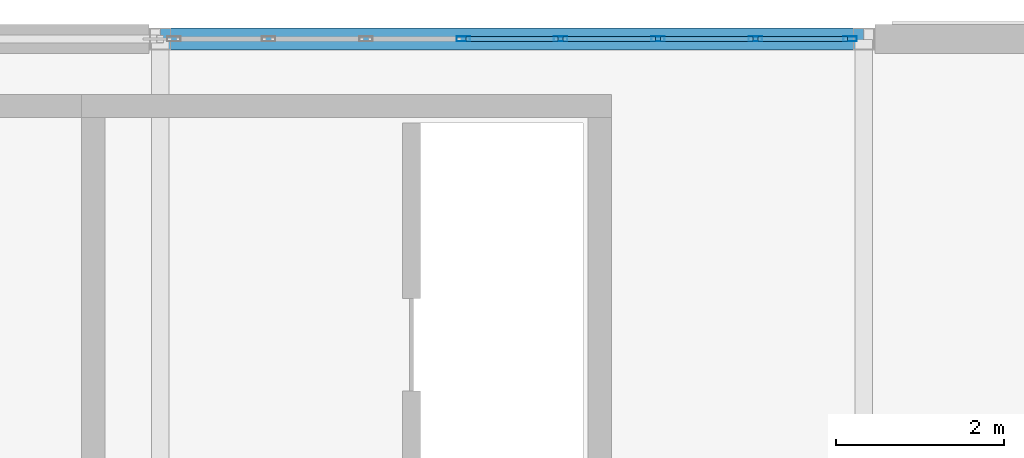
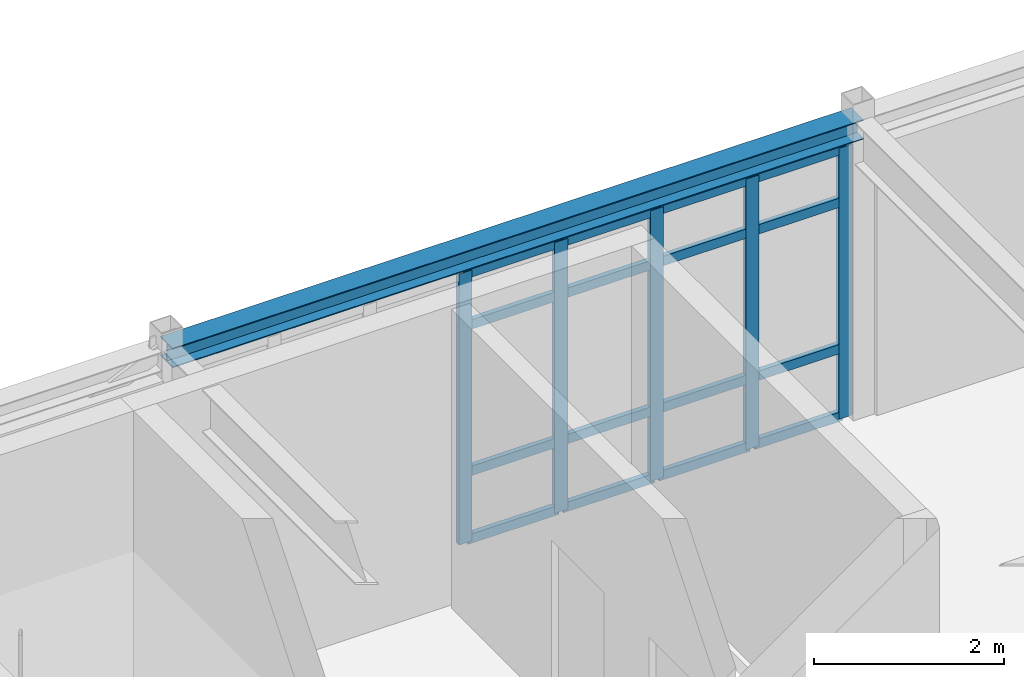
# One storey, part 102 of 189: 21 members, 1 beam, 1 element without a shape of its own.
"""IFC4 building model written with IfcOpenShell, lengths in metres."""

from ifc_helpers import new_model, si_unit, direction, frame, origin, origin_2d, place, context, subcontext, project, spatial, hollow_rectangle, i_section, extrude, material, layer, layer_set, material_profile, profile_set, type_object, element, aggregate, save


model = new_model("IFC4")

# Units and contexts
model_context = context("Model", 3, precision=1e-05, world=origin(), true_north=direction((0.0, 1.0)))
body_context = subcontext(model_context, "Body", "Model", "MODEL_VIEW")
ifc_project = project(units=[si_unit("LENGTHUNIT", "METRE"), si_unit("AREAUNIT", "SQUARE_METRE"), si_unit("VOLUMEUNIT", "CUBIC_METRE"), si_unit("PLANEANGLEUNIT", "RADIAN"), si_unit("MASSUNIT", "GRAM", prefix="KILO")], contexts=[model_context])

# Site, building, storey
site_placement = place(None, origin())
site = spatial("IfcSite", under=ifc_project, at=site_placement, CompositionType="ELEMENT")
building_placement = place(site_placement, origin())
building = spatial("IfcBuilding", under=site, at=building_placement, Name="Montecoro Central Library", CompositionType="ELEMENT")
storey_placement = place(building_placement, frame((0.0, 0.0, 9.179931640625)))
storey = spatial("IfcBuildingStorey", under=building, at=storey_placement, Name="L02", CompositionType="ELEMENT", Elevation=9.179931640625)

# Beam
ifc_material_1 = material(Name="Steel S355", Category="steel")
ifc_material_profile_1 = material_profile(ifc_material_1, i_section(OverallWidth=0.260009765625, OverallDepth=0.25, WebThickness=0.007568359375, FlangeThickness=0.012451171875, at=origin_2d()), Name="HEA 260")
ifc_profile_set_1 = profile_set([ifc_material_profile_1], Name="Steel S355")
beam_type = type_object("IfcBeamType", Name="BM-SP-HEA260", PredefinedType="SPANDREL", material=ifc_profile_set_1)
beam_placement = place(storey_placement, frame((83.205078125, 119.0, 3.699951171875), z_axis=(1.0, 0.0, 0.0), x_axis=(0.0, 1.0, 0.0)))
element("IfcBeam", 1, at=beam_placement, inside=storey, type_object=beam_type, Name="V2-L02-BX-1112-R", PredefinedType="SPANDREL", context=body_context, shape_type="SweptSolid", body=[
    extrude(i_section(OverallWidth=0.260009765625, OverallDepth=0.25, WebThickness=0.007568359375, FlangeThickness=0.012451171875, at=origin_2d()), origin(), (0.0, 0.0, 1.0), 8.389892578125),
])

# Curtain wall, members
ifc_material_2 = material(Name="Bronze-anodised aluminium and low-E glazing", Category="aluminium")
ifc_layer = layer(ifc_material_2, 0.159912109375)
ifc_layer_set = layer_set([ifc_layer], Name="Bronze-anodised aluminium and low-E glazing")
curtain_wall_type = type_object("IfcCurtainWallType", Name="CWT-016", PredefinedType="NOTDEFINED", material=ifc_layer_set)
curtain_wall_placement = place(storey_placement, origin())
curtain_wall = element("IfcCurtainWall", 2, at=curtain_wall_placement, inside=storey, type_object=curtain_wall_type, Name="V2-L02-CW-N2", PredefinedType="NOTDEFINED")
ifc_material_3 = material(Name="Bronze-anodised aluminium", Category="aluminium")
ifc_material_profile_2 = material_profile(ifc_material_3, hollow_rectangle(XDim=0.06005859375, YDim=0.159912109375, WallThickness=0.00390625, at=origin_2d()), Name="CWM 160x60x4.0")
ifc_profile_set_2 = profile_set([ifc_material_profile_2], Name="Bronze-anodised aluminium")
member_type_1 = type_object("IfcMemberType", Name="CWM-BRZ-60", PredefinedType="MULLION", material=ifc_profile_set_2)
member_1_placement = place(storey_placement, frame((91.43701171875, 119.0, 0.0), z_axis=(0.0, 0.0, 1.0), x_axis=(0.0, -1.0, 0.0)))
member_1 = element("IfcMember", 3, at=member_1_placement, type_object=member_type_1, Name="CW-016 mullion 1", PredefinedType="MULLION", context=body_context, shape_type="SweptSolid", body=[
    extrude(hollow_rectangle(XDim=0.06005859375, YDim=0.159912109375, WallThickness=0.00390625, at=origin_2d()), origin(), (0.0, 0.0, 1.0), 3.47998046875),
])
member_2_placement = place(storey_placement, frame((90.304931640625, 119.0, 0.0), z_axis=(0.0, 0.0, 1.0), x_axis=(0.0, -1.0, 0.0)))
member_2 = element("IfcMember", 4, at=member_2_placement, type_object=member_type_1, Name="CW-016 mullion 2", PredefinedType="MULLION", context=body_context, shape_type="SweptSolid", body=[
    extrude(hollow_rectangle(XDim=0.06005859375, YDim=0.159912109375, WallThickness=0.00390625, at=origin_2d()), origin(), (0.0, 0.0, 1.0), 3.47998046875),
])
member_3_placement = place(storey_placement, frame((89.14306640625, 119.0, 0.0), z_axis=(0.0, 0.0, 1.0), x_axis=(0.0, -1.0, 0.0)))
member_3 = element("IfcMember", 5, at=member_3_placement, type_object=member_type_1, Name="CW-016 mullion 3", PredefinedType="MULLION", context=body_context, shape_type="SweptSolid", body=[
    extrude(hollow_rectangle(XDim=0.06005859375, YDim=0.159912109375, WallThickness=0.00390625, at=origin_2d()), origin(), (0.0, 0.0, 1.0), 3.47998046875),
])
member_4_placement = place(storey_placement, frame((87.98095703125, 119.0, 0.0), z_axis=(0.0, 0.0, 1.0), x_axis=(0.0, -1.0, 0.0)))
member_4 = element("IfcMember", 6, at=member_4_placement, type_object=member_type_1, Name="CW-016 mullion 4", PredefinedType="MULLION", context=body_context, shape_type="SweptSolid", body=[
    extrude(hollow_rectangle(XDim=0.06005859375, YDim=0.159912109375, WallThickness=0.00390625, at=origin_2d()), origin(), (0.0, 0.0, 1.0), 3.47998046875),
])
member_5_placement = place(storey_placement, frame((86.819091796875, 119.0, 0.0), z_axis=(0.0, 0.0, 1.0), x_axis=(0.0, -1.0, 0.0)))
member_5 = element("IfcMember", 7, at=member_5_placement, type_object=member_type_1, Name="CW-016 mullion 5", PredefinedType="MULLION", context=body_context, shape_type="SweptSolid", body=[
    extrude(hollow_rectangle(XDim=0.06005859375, YDim=0.159912109375, WallThickness=0.00390625, at=origin_2d()), origin(), (0.0, 0.0, 1.0), 3.47998046875),
])
ifc_material_profile_3 = material_profile(ifc_material_3, hollow_rectangle(XDim=0.06005859375, YDim=0.1201171875, WallThickness=0.00390625, at=origin_2d()), Name="CWT 120x60x4.0")
ifc_profile_set_3 = profile_set([ifc_material_profile_3], Name="Bronze-anodised aluminium")
member_type_2 = type_object("IfcMemberType", Name="CWT-BRZ-60", PredefinedType="USERDEFINED", material=ifc_profile_set_3)
member_6_placement = place(storey_placement, frame((91.406982421875, 119.0, 0.030029296875), z_axis=(-1.0, 0.0, 0.0), x_axis=(0.0, -1.0, 0.0)))
member_6 = element("IfcMember", 8, at=member_6_placement, type_object=member_type_2, Name="CW-016 transom 1.1", ObjectType="TRANSOM", PredefinedType="USERDEFINED", context=body_context, shape_type="SweptSolid", body=[
    extrude(hollow_rectangle(XDim=0.06005859375, YDim=0.1201171875, WallThickness=0.00390625, at=origin_2d()), origin(), (0.0, 0.0, 1.0), 1.072021484375),
])
member_7_placement = place(storey_placement, frame((91.406982421875, 119.0, 0.900146484375), z_axis=(-1.0, 0.0, 0.0), x_axis=(0.0, -1.0, 0.0)))
member_7 = element("IfcMember", 9, at=member_7_placement, type_object=member_type_2, Name="CW-016 transom 1.2", ObjectType="TRANSOM", PredefinedType="USERDEFINED", context=body_context, shape_type="SweptSolid", body=[
    extrude(hollow_rectangle(XDim=0.06005859375, YDim=0.1201171875, WallThickness=0.00390625, at=origin_2d()), origin(), (0.0, 0.0, 1.0), 1.072021484375),
])
member_8_placement = place(storey_placement, frame((91.406982421875, 119.0, 2.780029296875), z_axis=(-1.0, 0.0, 0.0), x_axis=(0.0, -1.0, 0.0)))
member_8 = element("IfcMember", 10, at=member_8_placement, type_object=member_type_2, Name="CW-016 transom 1.3", ObjectType="TRANSOM", PredefinedType="USERDEFINED", context=body_context, shape_type="SweptSolid", body=[
    extrude(hollow_rectangle(XDim=0.06005859375, YDim=0.1201171875, WallThickness=0.00390625, at=origin_2d()), origin(), (0.0, 0.0, 1.0), 1.072021484375),
])
member_9_placement = place(storey_placement, frame((91.406982421875, 119.0, 3.449951171875), z_axis=(-1.0, 0.0, 0.0), x_axis=(0.0, -1.0, 0.0)))
member_9 = element("IfcMember", 11, at=member_9_placement, type_object=member_type_2, Name="CW-016 transom 1.4", ObjectType="TRANSOM", PredefinedType="USERDEFINED", context=body_context, shape_type="SweptSolid", body=[
    extrude(hollow_rectangle(XDim=0.06005859375, YDim=0.1201171875, WallThickness=0.00390625, at=origin_2d()), origin(), (0.0, 0.0, 1.0), 1.072021484375),
])
member_10_placement = place(storey_placement, frame((90.27490234375, 119.0, 0.030029296875), z_axis=(-1.0, 0.0, 0.0), x_axis=(0.0, -1.0, 0.0)))
member_10 = element("IfcMember", 12, at=member_10_placement, type_object=member_type_2, Name="CW-016 transom 2.1", ObjectType="TRANSOM", PredefinedType="USERDEFINED", context=body_context, shape_type="SweptSolid", body=[
    extrude(hollow_rectangle(XDim=0.06005859375, YDim=0.1201171875, WallThickness=0.00390625, at=origin_2d()), origin(), (0.0, 0.0, 1.0), 1.101806640625),
])
member_11_placement = place(storey_placement, frame((90.27490234375, 119.0, 0.900146484375), z_axis=(-1.0, 0.0, 0.0), x_axis=(0.0, -1.0, 0.0)))
member_11 = element("IfcMember", 13, at=member_11_placement, type_object=member_type_2, Name="CW-016 transom 2.2", ObjectType="TRANSOM", PredefinedType="USERDEFINED", context=body_context, shape_type="SweptSolid", body=[
    extrude(hollow_rectangle(XDim=0.06005859375, YDim=0.1201171875, WallThickness=0.00390625, at=origin_2d()), origin(), (0.0, 0.0, 1.0), 1.101806640625),
])
member_12_placement = place(storey_placement, frame((90.27490234375, 119.0, 2.780029296875), z_axis=(-1.0, 0.0, 0.0), x_axis=(0.0, -1.0, 0.0)))
member_12 = element("IfcMember", 14, at=member_12_placement, type_object=member_type_2, Name="CW-016 transom 2.3", ObjectType="TRANSOM", PredefinedType="USERDEFINED", context=body_context, shape_type="SweptSolid", body=[
    extrude(hollow_rectangle(XDim=0.06005859375, YDim=0.1201171875, WallThickness=0.00390625, at=origin_2d()), origin(), (0.0, 0.0, 1.0), 1.101806640625),
])
member_13_placement = place(storey_placement, frame((90.27490234375, 119.0, 3.449951171875), z_axis=(-1.0, 0.0, 0.0), x_axis=(0.0, -1.0, 0.0)))
member_13 = element("IfcMember", 15, at=member_13_placement, type_object=member_type_2, Name="CW-016 transom 2.4", ObjectType="TRANSOM", PredefinedType="USERDEFINED", context=body_context, shape_type="SweptSolid", body=[
    extrude(hollow_rectangle(XDim=0.06005859375, YDim=0.1201171875, WallThickness=0.00390625, at=origin_2d()), origin(), (0.0, 0.0, 1.0), 1.101806640625),
])
member_14_placement = place(storey_placement, frame((89.113037109375, 119.0, 0.030029296875), z_axis=(-1.0, 0.0, 0.0), x_axis=(0.0, -1.0, 0.0)))
member_14 = element("IfcMember", 16, at=member_14_placement, type_object=member_type_2, Name="CW-016 transom 3.1", ObjectType="TRANSOM", PredefinedType="USERDEFINED", context=body_context, shape_type="SweptSolid", body=[
    extrude(hollow_rectangle(XDim=0.06005859375, YDim=0.1201171875, WallThickness=0.00390625, at=origin_2d()), origin(), (0.0, 0.0, 1.0), 1.10205078125),
])
member_15_placement = place(storey_placement, frame((89.113037109375, 119.0, 0.900146484375), z_axis=(-1.0, 0.0, 0.0), x_axis=(0.0, -1.0, 0.0)))
member_15 = element("IfcMember", 17, at=member_15_placement, type_object=member_type_2, Name="CW-016 transom 3.2", ObjectType="TRANSOM", PredefinedType="USERDEFINED", context=body_context, shape_type="SweptSolid", body=[
    extrude(hollow_rectangle(XDim=0.06005859375, YDim=0.1201171875, WallThickness=0.00390625, at=origin_2d()), origin(), (0.0, 0.0, 1.0), 1.10205078125),
])
member_16_placement = place(storey_placement, frame((89.113037109375, 119.0, 2.780029296875), z_axis=(-1.0, 0.0, 0.0), x_axis=(0.0, -1.0, 0.0)))
member_16 = element("IfcMember", 18, at=member_16_placement, type_object=member_type_2, Name="CW-016 transom 3.3", ObjectType="TRANSOM", PredefinedType="USERDEFINED", context=body_context, shape_type="SweptSolid", body=[
    extrude(hollow_rectangle(XDim=0.06005859375, YDim=0.1201171875, WallThickness=0.00390625, at=origin_2d()), origin(), (0.0, 0.0, 1.0), 1.10205078125),
])
member_17_placement = place(storey_placement, frame((89.113037109375, 119.0, 3.449951171875), z_axis=(-1.0, 0.0, 0.0), x_axis=(0.0, -1.0, 0.0)))
member_17 = element("IfcMember", 19, at=member_17_placement, type_object=member_type_2, Name="CW-016 transom 3.4", ObjectType="TRANSOM", PredefinedType="USERDEFINED", context=body_context, shape_type="SweptSolid", body=[
    extrude(hollow_rectangle(XDim=0.06005859375, YDim=0.1201171875, WallThickness=0.00390625, at=origin_2d()), origin(), (0.0, 0.0, 1.0), 1.10205078125),
])
member_18_placement = place(storey_placement, frame((87.950927734375, 119.0, 0.030029296875), z_axis=(-1.0, 0.0, 0.0), x_axis=(0.0, -1.0, 0.0)))
member_18 = element("IfcMember", 20, at=member_18_placement, type_object=member_type_2, Name="CW-016 transom 4.1", ObjectType="TRANSOM", PredefinedType="USERDEFINED", context=body_context, shape_type="SweptSolid", body=[
    extrude(hollow_rectangle(XDim=0.06005859375, YDim=0.1201171875, WallThickness=0.00390625, at=origin_2d()), origin(), (0.0, 0.0, 1.0), 1.101806640625),
])
member_19_placement = place(storey_placement, frame((87.950927734375, 119.0, 0.900146484375), z_axis=(-1.0, 0.0, 0.0), x_axis=(0.0, -1.0, 0.0)))
member_19 = element("IfcMember", 21, at=member_19_placement, type_object=member_type_2, Name="CW-016 transom 4.2", ObjectType="TRANSOM", PredefinedType="USERDEFINED", context=body_context, shape_type="SweptSolid", body=[
    extrude(hollow_rectangle(XDim=0.06005859375, YDim=0.1201171875, WallThickness=0.00390625, at=origin_2d()), origin(), (0.0, 0.0, 1.0), 1.101806640625),
])
member_20_placement = place(storey_placement, frame((87.950927734375, 119.0, 2.780029296875), z_axis=(-1.0, 0.0, 0.0), x_axis=(0.0, -1.0, 0.0)))
member_20 = element("IfcMember", 22, at=member_20_placement, type_object=member_type_2, Name="CW-016 transom 4.3", ObjectType="TRANSOM", PredefinedType="USERDEFINED", context=body_context, shape_type="SweptSolid", body=[
    extrude(hollow_rectangle(XDim=0.06005859375, YDim=0.1201171875, WallThickness=0.00390625, at=origin_2d()), origin(), (0.0, 0.0, 1.0), 1.101806640625),
])
member_21_placement = place(storey_placement, frame((87.950927734375, 119.0, 3.449951171875), z_axis=(-1.0, 0.0, 0.0), x_axis=(0.0, -1.0, 0.0)))
member_21 = element("IfcMember", 23, at=member_21_placement, type_object=member_type_2, Name="CW-016 transom 4.4", ObjectType="TRANSOM", PredefinedType="USERDEFINED", context=body_context, shape_type="SweptSolid", body=[
    extrude(hollow_rectangle(XDim=0.06005859375, YDim=0.1201171875, WallThickness=0.00390625, at=origin_2d()), origin(), (0.0, 0.0, 1.0), 1.101806640625),
])
aggregate(curtain_wall, [member_1, member_2, member_3, member_4, member_5, member_6, member_7, member_8, member_9, member_10, member_11, member_12, member_13, member_14, member_15, member_16, member_17, member_18, member_19, member_20, member_21])

save(model, "model.ifc")
